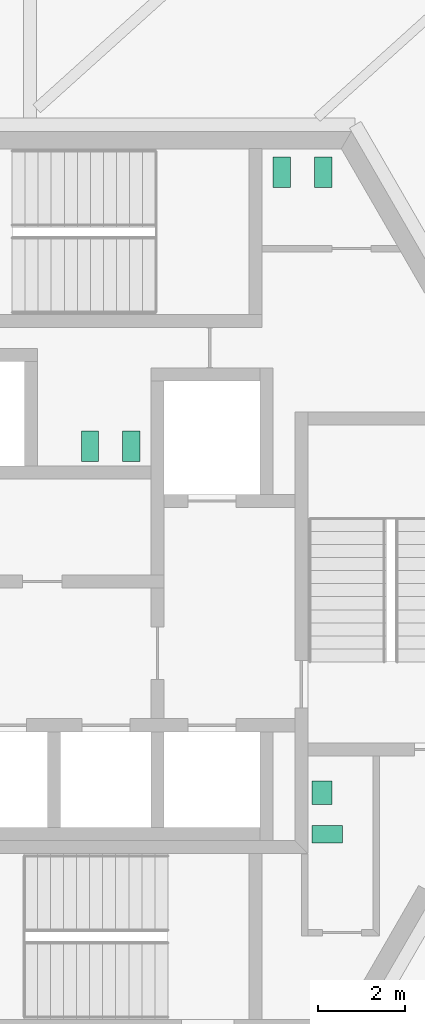
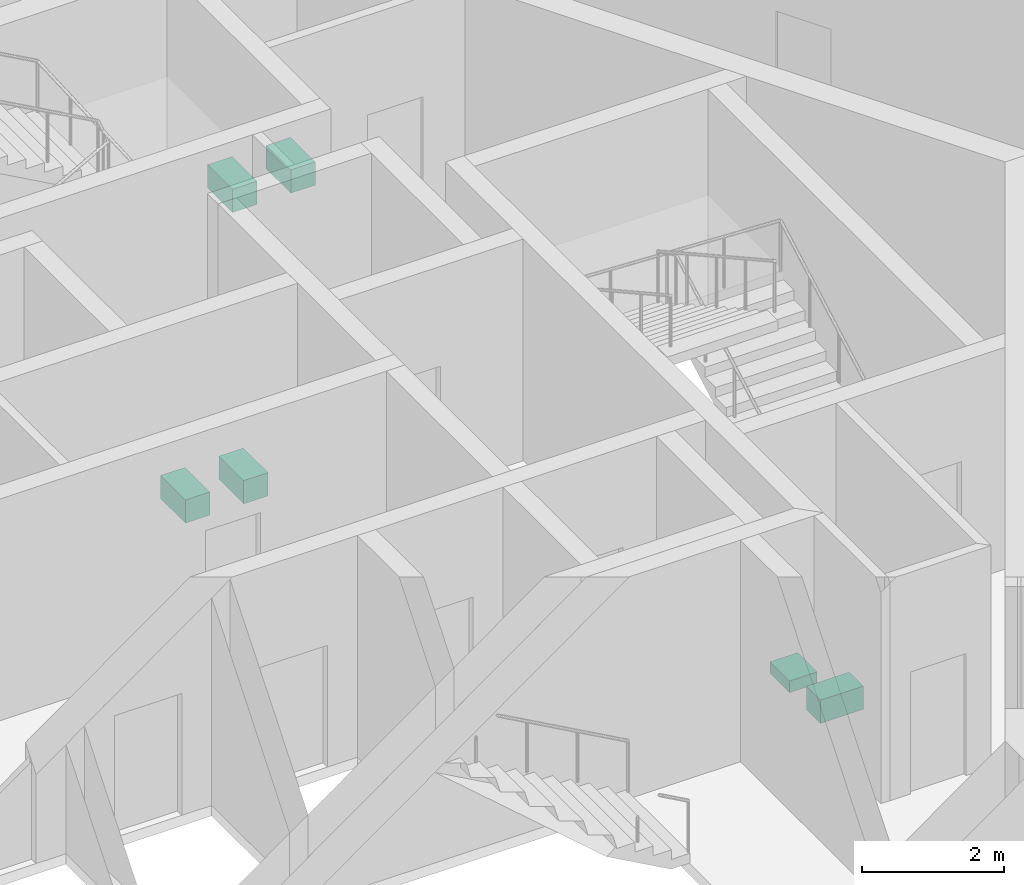
# One storey, part 17 of 17: 6 sanitary terminals.
"""IFC4 building model written with IfcOpenShell, lengths in metres."""

from ifc_helpers import new_model, si_unit, direction, frame, origin, origin_2d, place, context, subcontext, project, spatial, rectangle, extrude, source, transform, mapped, material, element, save


model = new_model("IFC4")

# Units and contexts
model_context = context("Model", 3, precision=1e-05, world=origin(), true_north=direction((0.0, 1.0)))
body_context = subcontext(model_context, "Body", "Model", "MODEL_VIEW")
ifc_project = project(units=[si_unit("LENGTHUNIT", "METRE"), si_unit("AREAUNIT", "SQUARE_METRE"), si_unit("VOLUMEUNIT", "CUBIC_METRE"), si_unit("PLANEANGLEUNIT", "RADIAN"), si_unit("MASSUNIT", "GRAM", prefix="KILO")], contexts=[model_context])

# Site, building, storey
site_placement = place(None, origin())
site = spatial("IfcSite", under=ifc_project, at=site_placement, CompositionType="ELEMENT")
building_placement = place(site_placement, origin())
building = spatial("IfcBuilding", under=site, at=building_placement, Name="Triune Harvest Tower", CompositionType="ELEMENT")
storey_placement = place(building_placement, frame((0.0, 0.0, 288.699951171875)))
storey = spatial("IfcBuildingStorey", under=building, at=storey_placement, Name="L76", CompositionType="ELEMENT", Elevation=288.699951171875)

# Sanitary terminals
ifc_material = material(Name="Vitreous china")
shared_shape_1 = source(origin(), body_context, "Body", "SweptSolid", [
    extrude(rectangle(XDim=0.39990234375, YDim=0.699951171875, at=origin_2d()), origin(), (0.0, 0.0, 1.0), 0.39990234375),
])
for number, where, z_axis, x_axis, name in (
    (1, (4.39990234375, 9.449951171875, 0.0), (0.0, 0.0, 1.0), (1.0, 0.0, 0.0), "Toilet pan L76.c01"),
    (2, (5.35009765625, 9.449951171875, 0.0), (0.0, 0.0, 1.0), (1.0, 0.0, 0.0), "Toilet pan L76.c02"),
    (3, (0.949951171875, 3.159912109375, 0.0), (0.0, 0.0, 1.0), (-1.0, 0.0, 0.0), "Toilet pan L76.c03"),
    (4, (0.0, 3.159912109375, 0.0), (0.0, 0.0, 1.0), (-1.0, 0.0, 0.0), "Toilet pan L76.c04"),
    (5, (5.449951171875, -5.739990234375, 0.0), (0.0, 0.0, 1.0), (0.0, 1.0, 0.0), "Toilet pan L76.c05"),
):
    element("IfcSanitaryTerminal", number, at=place(storey_placement, frame(where, z_axis=z_axis, x_axis=x_axis)), inside=storey, material=ifc_material, Name=name, PredefinedType="TOILETPAN", context=body_context, shape_type="MappedRepresentation", body=[
        mapped(shared_shape_1, transform((0.0, 0.0, 0.0), scale=1.0)),
    ])
shared_shape_2 = source(origin(), body_context, "Body", "SweptSolid", [
    extrude(rectangle(XDim=0.550048828125, YDim=0.449951171875, at=origin_2d()), origin(), (0.0, 0.0, 1.0), 0.199951171875),
])
sanitary_terminal_placement = place(storey_placement, frame((5.324951171875, -4.7900390625, 0.0), z_axis=(0.0, 0.0, 1.0), x_axis=(0.0, 1.0, 0.0)))
element("IfcSanitaryTerminal", 6, at=sanitary_terminal_placement, inside=storey, material=ifc_material, Name="Wash basin L76.c06", PredefinedType="WASHHANDBASIN", context=body_context, shape_type="MappedRepresentation", body=[
    mapped(shared_shape_2, transform((0.0, 0.0, 0.0), scale=1.0)),
])

save(model, "model.ifc")
